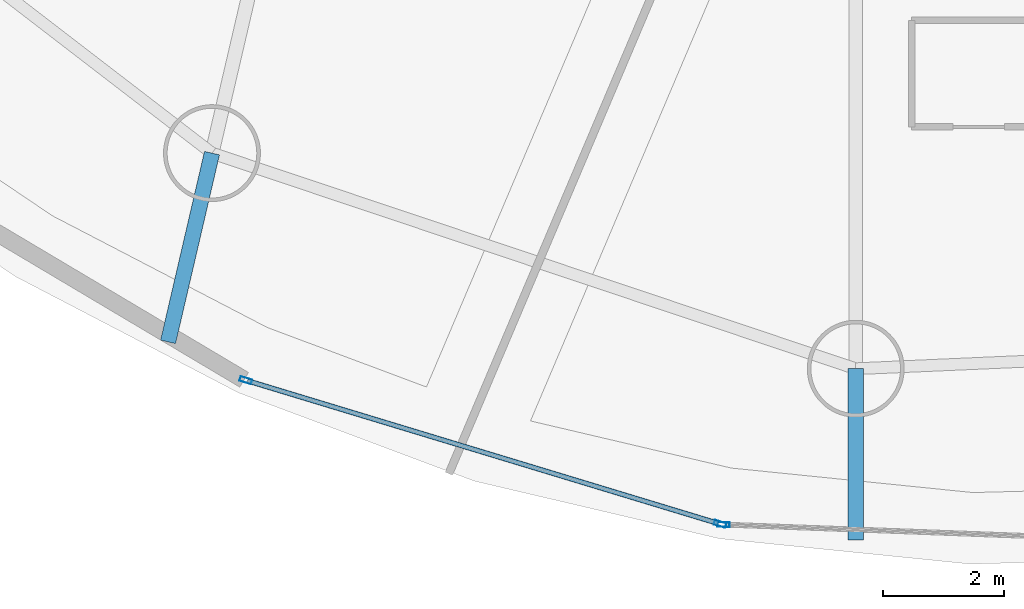
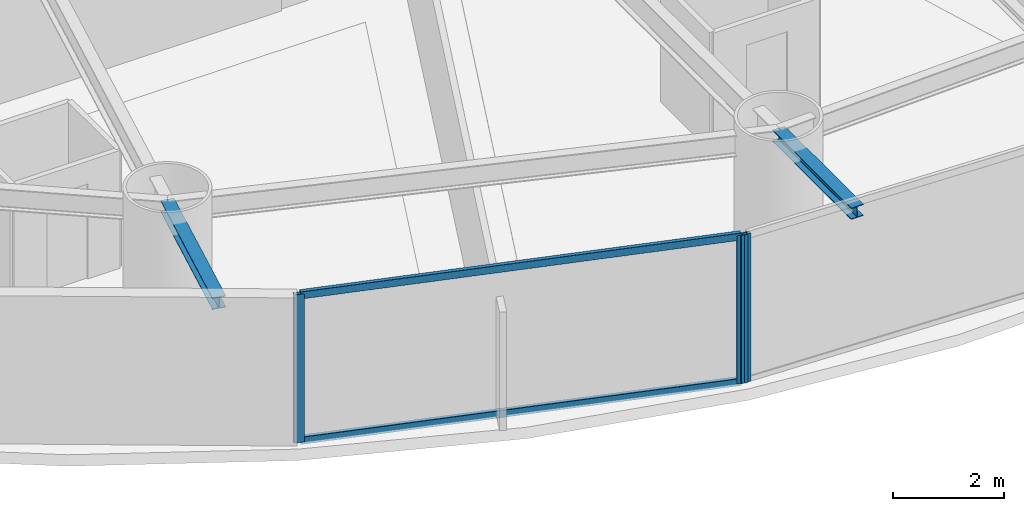
# One storey, part 2 of 27: 5 members, 2 beams, 2 elements without a shape of their own.
"""IFC4 building model written with IfcOpenShell, lengths in metres."""

from ifc_helpers import new_model, si_unit, direction, frame, origin, origin_2d, place, context, subcontext, project, spatial, hollow_rectangle, i_section, extrude, material, layer, layer_set, material_profile, profile_set, type_object, element, aggregate, save


model = new_model("IFC4")

# Units and contexts
model_context = context("Model", 3, precision=1e-05, world=origin(), true_north=direction((0.0, 1.0)))
body_context = subcontext(model_context, "Body", "Model", "MODEL_VIEW")
ifc_project = project(units=[si_unit("LENGTHUNIT", "METRE"), si_unit("AREAUNIT", "SQUARE_METRE"), si_unit("VOLUMEUNIT", "CUBIC_METRE"), si_unit("PLANEANGLEUNIT", "RADIAN"), si_unit("MASSUNIT", "GRAM", prefix="KILO")], contexts=[model_context])

# Site, building, storey
site_placement = place(None, origin())
site = spatial("IfcSite", under=ifc_project, at=site_placement, CompositionType="ELEMENT")
building_placement = place(site_placement, origin())
building = spatial("IfcBuilding", under=site, at=building_placement, Name="Bramvorn Convention Spire", CompositionType="ELEMENT")
storey_placement = place(building_placement, frame((0.0, 0.0, 72.89990234375)))
storey = spatial("IfcBuildingStorey", under=building, at=storey_placement, Name="L16", CompositionType="ELEMENT", Elevation=72.89990234375)

# Beams
ifc_material_1 = material(Name="Steel CSA G40.21 Grade 350 (350W)", Category="steel")
ifc_material_profile_1 = material_profile(ifc_material_1, i_section(OverallWidth=0.25390625, OverallDepth=0.2529296875, WebThickness=0.008544921875, FlangeThickness=0.01416015625, FilletRadius=0.011962890625, at=origin_2d()))
ifc_profile_set_1 = profile_set([ifc_material_profile_1], Name="Steel CSA G40.21 Grade 350 (350W) - W250X73")
beam_type = type_object("IfcBeamType", Name="BM-W250X73", PredefinedType="BEAM", material=ifc_profile_set_1)
beam_1_placement = place(storey_placement, frame((24.40966796875, 8.490966796875, 3.108642578125), z_axis=(-0.226597657663, -0.973988450415, 0.0), x_axis=(0.973988450415, -0.226597657663, 0.0)))
element("IfcBeam", 1, at=beam_1_placement, inside=storey, type_object=beam_type, Name="L16 slab-edge cantilever tip beam MC12", PredefinedType="BEAM", context=body_context, shape_type="SweptSolid", body=[
    extrude(i_section(OverallWidth=0.25390625, OverallDepth=0.2529296875, WebThickness=0.008544921875, FlangeThickness=0.01416015625, FilletRadius=0.011962890625, at=origin_2d()), origin(), (0.0, 0.0, 1.0), 3.199951171875),
])
beam_2_placement = place(storey_placement, frame((35.0390625, 4.93115234375, 3.108642578125), z_axis=(0.0, -1.0, 0.0), x_axis=(1.0, 0.0, 0.0)))
element("IfcBeam", 2, at=beam_2_placement, inside=storey, type_object=beam_type, Name="L16 slab-edge cantilever tip beam MC13", PredefinedType="BEAM", context=body_context, shape_type="SweptSolid", body=[
    extrude(i_section(OverallWidth=0.25390625, OverallDepth=0.2529296875, WebThickness=0.008544921875, FlangeThickness=0.01416015625, FilletRadius=0.011962890625, at=origin_2d()), origin(), (0.0, 0.0, 1.0), 2.828125),
])

# Curtain wall, members
ifc_material_2 = material(Name="Anodised Bronze Unitised Curtain Wall", Category="aluminium")
ifc_layer = layer(ifc_material_2, 0.179931640625)
ifc_layer_set = layer_set([ifc_layer], Name="Anodised Bronze Unitised Curtain Wall - CW-HTL-FRIT")
curtain_wall_type = type_object("IfcCurtainWallType", Name="CW-HTL-FRIT", PredefinedType="USERDEFINED", material=ifc_layer_set)
curtain_wall_1_placement = place(storey_placement, origin())
curtain_wall_1 = element("IfcCurtainWall", 3, at=curtain_wall_1_placement, inside=storey, type_object=curtain_wall_type, Name="L16 fritted glass curtain wall 18", ObjectType="UNITISED CURTAIN WALL", PredefinedType="USERDEFINED")
ifc_material_3 = material(Name="Anodised Bronze Aluminium 6063-T6", Category="aluminium")
ifc_material_profile_2 = material_profile(ifc_material_3, hollow_rectangle(XDim=0.080078125, YDim=0.199951171875, WallThickness=0.00390625, InnerFilletRadius=0.0009765625, OuterFilletRadius=0.00390625, at=origin_2d()))
ifc_profile_set_2 = profile_set([ifc_material_profile_2], Name="Anodised Bronze Aluminium 6063-T6 - CWM80X200")
member_type_1 = type_object("IfcMemberType", Name="CW-MUL-180", PredefinedType="MULLION", material=ifc_profile_set_2)
member_1_placement = place(storey_placement, frame((32.798583984375, 2.367919921875, 0.0), z_axis=(0.0, 0.0, 1.0), x_axis=(-0.289989546369, -0.957029813014, 0.0)))
member_1 = element("IfcMember", 4, at=member_1_placement, type_object=member_type_1, Name="CW2 mullion 1", PredefinedType="MULLION", context=body_context, shape_type="SweptSolid", body=[
    extrude(hollow_rectangle(XDim=0.080078125, YDim=0.199951171875, WallThickness=0.00390625, InnerFilletRadius=0.0009765625, OuterFilletRadius=0.00390625, at=origin_2d()), origin(), (0.0, 0.0, 1.0), 3.25),
])
member_2_placement = place(storey_placement, frame((24.96875, 4.740234375, 0.0), z_axis=(0.0, 0.0, 1.0), x_axis=(-0.289989546369, -0.957029813014, 0.0)))
member_2 = element("IfcMember", 5, at=member_2_placement, type_object=member_type_1, Name="CW2 mullion 2", PredefinedType="MULLION", context=body_context, shape_type="SweptSolid", body=[
    extrude(hollow_rectangle(XDim=0.080078125, YDim=0.199951171875, WallThickness=0.00390625, InnerFilletRadius=0.0009765625, OuterFilletRadius=0.00390625, at=origin_2d()), origin(), (0.0, 0.0, 1.0), 3.25),
])

# Curtain wall, member
curtain_wall_2_placement = place(storey_placement, origin())
curtain_wall_2 = element("IfcCurtainWall", 6, at=curtain_wall_2_placement, inside=storey, type_object=curtain_wall_type, Name="L16 fritted glass curtain wall 19", ObjectType="UNITISED CURTAIN WALL", PredefinedType="USERDEFINED")
member_3_placement = place(storey_placement, frame((32.857177734375, 2.35791015625, 0.0), z_axis=(0.0, 0.0, 1.0), x_axis=(-0.037396718342, -0.999300498077, 0.0)))
member_3 = element("IfcMember", 7, at=member_3_placement, type_object=member_type_1, Name="CW2 mullion 2", PredefinedType="MULLION", context=body_context, shape_type="SweptSolid", body=[
    extrude(hollow_rectangle(XDim=0.080078125, YDim=0.199951171875, WallThickness=0.00390625, InnerFilletRadius=0.0009765625, OuterFilletRadius=0.00390625, at=origin_2d()), origin(), (0.0, 0.0, 1.0), 3.25),
])
aggregate(curtain_wall_2, [member_3])

# Member
ifc_material_profile_3 = material_profile(ifc_material_3, hollow_rectangle(XDim=0.080078125, YDim=0.159912109375, WallThickness=0.00390625, InnerFilletRadius=0.0009765625, OuterFilletRadius=0.00390625, at=origin_2d()))
ifc_profile_set_3 = profile_set([ifc_material_profile_3], Name="Anodised Bronze Aluminium 6063-T6 - CWT80X160")
member_type_2 = type_object("IfcMemberType", Name="CW-TRN-150", PredefinedType="USERDEFINED", material=ifc_profile_set_3)
member_4_placement = place(storey_placement, frame((32.769775390625, 2.37646484375, 0.030029296875), z_axis=(-0.957026679848, 0.289999886308, 0.0), x_axis=(-0.289999886308, -0.957026679848, 0.0)))
member_4 = element("IfcMember", 8, at=member_4_placement, type_object=member_type_2, Name="CW2 transom 1.1", ObjectType="TRANSOM", PredefinedType="USERDEFINED", context=body_context, shape_type="SweptSolid", body=[
    extrude(hollow_rectangle(XDim=0.080078125, YDim=0.159912109375, WallThickness=0.00390625, InnerFilletRadius=0.0009765625, OuterFilletRadius=0.00390625, at=origin_2d()), origin(), (0.0, 0.0, 1.0), 8.12158203125),
])

member_5_placement = place(storey_placement, frame((32.769775390625, 2.37646484375, 3.22021484375), z_axis=(-0.957026679848, 0.289999886308, 0.0), x_axis=(-0.289999886308, -0.957026679848, 0.0)))
member_5 = element("IfcMember", 9, at=member_5_placement, type_object=member_type_2, Name="CW2 transom 1.2", ObjectType="TRANSOM", PredefinedType="USERDEFINED", context=body_context, shape_type="SweptSolid", body=[
    extrude(hollow_rectangle(XDim=0.080078125, YDim=0.159912109375, WallThickness=0.00390625, InnerFilletRadius=0.0009765625, OuterFilletRadius=0.00390625, at=origin_2d()), origin(), (0.0, 0.0, 1.0), 8.12158203125),
])

aggregate(curtain_wall_1, [member_1, member_2, member_4, member_5])

save(model, "model.ifc")
